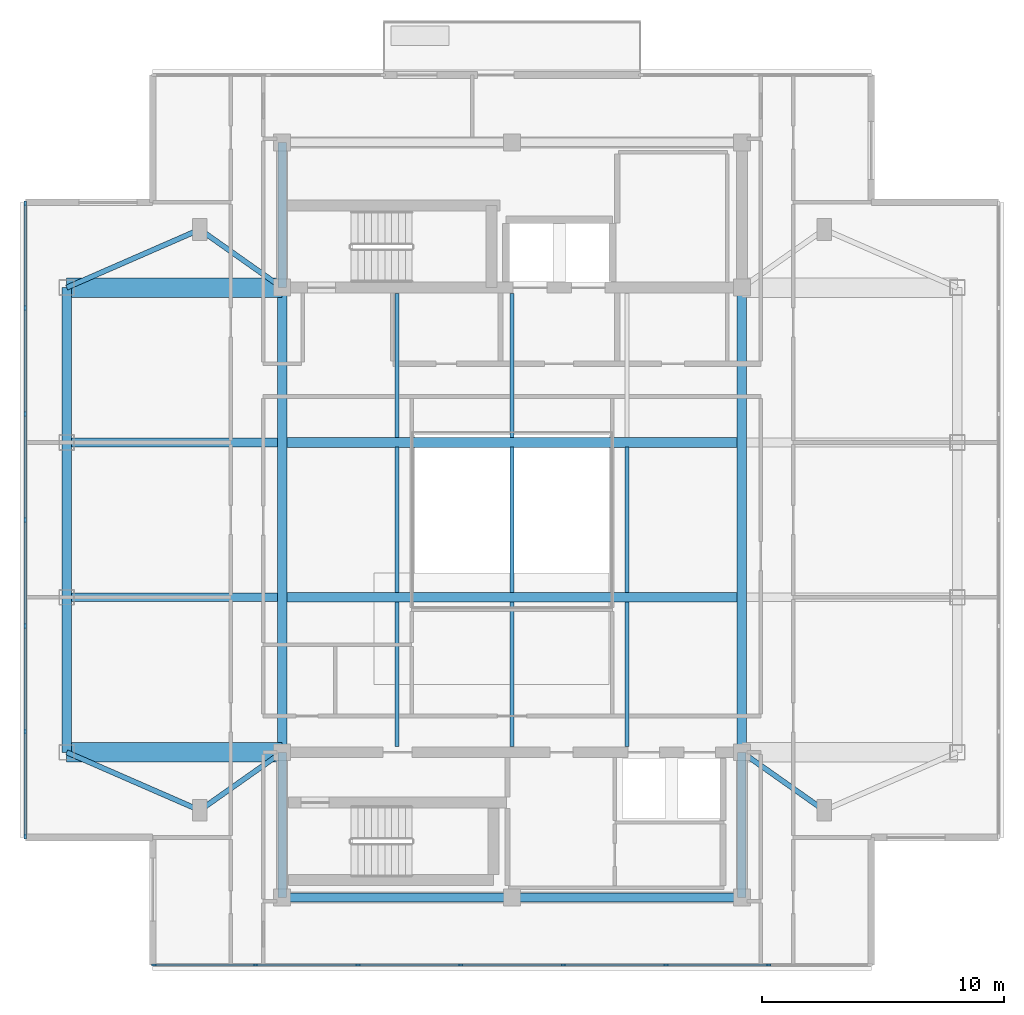
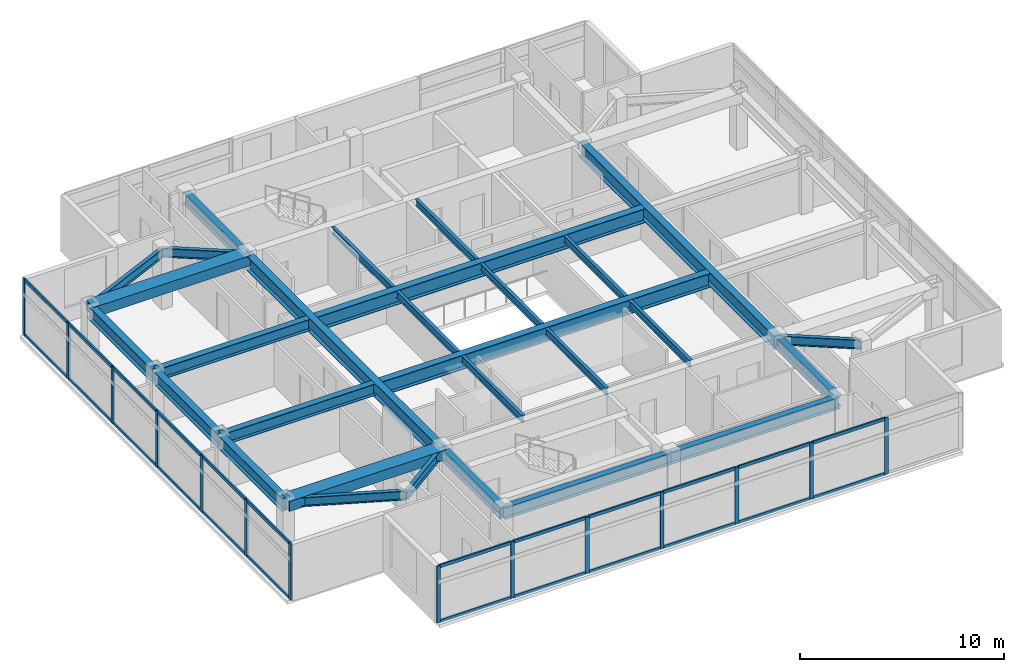
# One storey, part 2 of 12: 38 members, 29 beams, 2 elements without a shape of their own.
"""IFC4 building model written with IfcOpenShell, lengths in metres."""

from ifc_helpers import new_model, si_unit, direction, frame, origin, origin_2d, place, context, subcontext, project, spatial, rectangle, i_section, extrude, material, material_profile, profile_set, type_object, element, aggregate, save


model = new_model("IFC4")

# Units and contexts
model_context = context("Model", 3, precision=1e-05, world=origin(), true_north=direction((0.0, 1.0)))
body_context = subcontext(model_context, "Body", "Model", "MODEL_VIEW")
ifc_project = project(units=[si_unit("LENGTHUNIT", "METRE"), si_unit("AREAUNIT", "SQUARE_METRE"), si_unit("VOLUMEUNIT", "CUBIC_METRE"), si_unit("PLANEANGLEUNIT", "RADIAN"), si_unit("MASSUNIT", "GRAM", prefix="KILO")], contexts=[model_context])

# Site, building, storey
site_placement = place(None, origin())
site = spatial("IfcSite", under=ifc_project, at=site_placement, CompositionType="ELEMENT")
building_placement = place(site_placement, origin())
building = spatial("IfcBuilding", under=site, at=building_placement, Name="Mirazonda Arch Towers", CompositionType="ELEMENT")
storey_placement = place(building_placement, frame((0.0, 0.0, 252.699951171875)))
storey = spatial("IfcBuildingStorey", under=building, at=storey_placement, Name="L72", CompositionType="ELEMENT", Elevation=252.699951171875)

# Beams
ifc_material_1 = material(Name="Steel ASTM A992 Grade 50", Category="steel")
ifc_material_profile_1 = material_profile(ifc_material_1, i_section(OverallWidth=0.381103515625, OverallDepth=0.77294921875, WebThickness=0.0166015625, FlangeThickness=0.027099609375, at=origin_2d()), Name="W30X173")
ifc_profile_set_1 = profile_set([ifc_material_profile_1], Name="Steel ASTM A992 Grade 50")
beam_type_1 = type_object("IfcBeamType", Name="BM-EXT-W30X173", PredefinedType="USERDEFINED", material=ifc_profile_set_1)
beam_1_placement = place(storey_placement, frame((2.10009765625, 18.39990234375, 3.013427734375), z_axis=(0.0, 1.0, 0.0), x_axis=(-1.0, 0.0, 0.0)))
element("IfcBeam", 1, at=beam_1_placement, inside=storey, type_object=beam_type_1, Name="L72 Floor Beam BM-T1-L72-NS-W-18", ObjectType="GIRDER", PredefinedType="USERDEFINED", context=body_context, shape_type="SweptSolid", body=[
    extrude(i_section(OverallWidth=0.381103515625, OverallDepth=0.77294921875, WebThickness=0.0166015625, FlangeThickness=0.027099609375, at=origin_2d()), origin(), (0.0, 0.0, 1.0), 6.400146484375),
])
beam_2_placement = place(storey_placement, frame((2.10009765625, 24.800048828125, 3.013427734375), z_axis=(0.0, 1.0, 0.0), x_axis=(-1.0, 0.0, 0.0)))
element("IfcBeam", 2, at=beam_2_placement, inside=storey, type_object=beam_type_1, Name="L72 Floor Beam BM-T1-L72-NS-W-24", ObjectType="GIRDER", PredefinedType="USERDEFINED", context=body_context, shape_type="SweptSolid", body=[
    extrude(i_section(OverallWidth=0.381103515625, OverallDepth=0.77294921875, WebThickness=0.0166015625, FlangeThickness=0.027099609375, at=origin_2d()), origin(), (0.0, 0.0, 1.0), 6.39990234375),
])
beam_3_placement = place(storey_placement, frame((2.10009765625, 31.199951171875, 3.013427734375), z_axis=(0.0, 1.0, 0.0), x_axis=(-1.0, 0.0, 0.0)))
element("IfcBeam", 3, at=beam_3_placement, inside=storey, type_object=beam_type_1, Name="L72 Floor Beam BM-T1-L72-NS-W-31", ObjectType="GIRDER", PredefinedType="USERDEFINED", context=body_context, shape_type="SweptSolid", body=[
    extrude(i_section(OverallWidth=0.381103515625, OverallDepth=0.77294921875, WebThickness=0.0166015625, FlangeThickness=0.027099609375, at=origin_2d()), origin(), (0.0, 0.0, 1.0), 6.400146484375),
])
ifc_material_profile_2 = material_profile(ifc_material_1, i_section(OverallWidth=0.180908203125, OverallDepth=0.4169921875, WebThickness=0.010986328125, FlangeThickness=0.018310546875, at=origin_2d()), Name="W16X57")
ifc_profile_set_2 = profile_set([ifc_material_profile_2], Name="Steel ASTM A992 Grade 50")
beam_type_2 = type_object("IfcBeamType", Name="BM-INT-W16X57", PredefinedType="JOIST", material=ifc_profile_set_2)
for number, where, z_axis, x_axis, name in (
    (4, (15.75, 18.639892578125, 3.191650390625), (0.0, 1.0, 0.0), (-1.0, 0.0, 0.0), "L72 Floor Beam BM-T1-L72-J-157-18"),
    (5, (15.75, 31.39599609375, 3.191650390625), (0.0, 1.0, 0.0), (-1.0, 0.0, 0.0), "L72 Floor Beam BM-T1-L72-J-157-31"),
):
    element("IfcBeam", number, at=place(storey_placement, frame(where, z_axis=z_axis, x_axis=x_axis)), inside=storey, type_object=beam_type_2, Name=name, PredefinedType="JOIST", context=body_context, shape_type="SweptSolid", body=[
        extrude(i_section(OverallWidth=0.180908203125, OverallDepth=0.4169921875, WebThickness=0.010986328125, FlangeThickness=0.018310546875, at=origin_2d()), origin(), (0.0, 0.0, 1.0), 5.964111328125),
    ])
beam_4_placement = place(storey_placement, frame((15.75, 24.99609375, 3.191650390625), z_axis=(0.0, 1.0, 0.0), x_axis=(-1.0, 0.0, 0.0)))
element("IfcBeam", 6, at=beam_4_placement, inside=storey, type_object=beam_type_2, Name="L72 Floor Beam BM-T1-L72-J-157-24", PredefinedType="JOIST", context=body_context, shape_type="SweptSolid", body=[
    extrude(i_section(OverallWidth=0.180908203125, OverallDepth=0.4169921875, WebThickness=0.010986328125, FlangeThickness=0.018310546875, at=origin_2d()), origin(), (0.0, 0.0, 1.0), 6.0078125),
])
for number, where, z_axis, x_axis, name in (
    (7, (20.5, 18.639892578125, 3.191650390625), (0.0, 1.0, 0.0), (-1.0, 0.0, 0.0), "L72 Floor Beam BM-T1-L72-J-205-18"),
    (8, (20.5, 31.39599609375, 3.191650390625), (0.0, 1.0, 0.0), (-1.0, 0.0, 0.0), "L72 Floor Beam BM-T1-L72-J-205-31"),
):
    element("IfcBeam", number, at=place(storey_placement, frame(where, z_axis=z_axis, x_axis=x_axis)), inside=storey, type_object=beam_type_2, Name=name, PredefinedType="JOIST", context=body_context, shape_type="SweptSolid", body=[
        extrude(i_section(OverallWidth=0.180908203125, OverallDepth=0.4169921875, WebThickness=0.010986328125, FlangeThickness=0.018310546875, at=origin_2d()), origin(), (0.0, 0.0, 1.0), 5.964111328125),
    ])
beam_5_placement = place(storey_placement, frame((20.5, 24.99609375, 3.191650390625), z_axis=(0.0, 1.0, 0.0), x_axis=(-1.0, 0.0, 0.0)))
element("IfcBeam", 9, at=beam_5_placement, inside=storey, type_object=beam_type_2, Name="L72 Floor Beam BM-T1-L72-J-205-24", PredefinedType="JOIST", context=body_context, shape_type="SweptSolid", body=[
    extrude(i_section(OverallWidth=0.180908203125, OverallDepth=0.4169921875, WebThickness=0.010986328125, FlangeThickness=0.018310546875, at=origin_2d()), origin(), (0.0, 0.0, 1.0), 6.0078125),
])
beam_6_placement = place(storey_placement, frame((25.25, 18.639892578125, 3.191650390625), z_axis=(0.0, 1.0, 0.0), x_axis=(-1.0, 0.0, 0.0)))
element("IfcBeam", 10, at=beam_6_placement, inside=storey, type_object=beam_type_2, Name="L72 Floor Beam BM-T1-L72-J-252-18", PredefinedType="JOIST", context=body_context, shape_type="SweptSolid", body=[
    extrude(i_section(OverallWidth=0.180908203125, OverallDepth=0.4169921875, WebThickness=0.010986328125, FlangeThickness=0.018310546875, at=origin_2d()), origin(), (0.0, 0.0, 1.0), 5.964111328125),
])
beam_7_placement = place(storey_placement, frame((25.25, 24.99609375, 3.191650390625), z_axis=(0.0, 1.0, 0.0), x_axis=(-1.0, 0.0, 0.0)))
element("IfcBeam", 11, at=beam_7_placement, inside=storey, type_object=beam_type_2, Name="L72 Floor Beam BM-T1-L72-J-252-24", PredefinedType="JOIST", context=body_context, shape_type="SweptSolid", body=[
    extrude(i_section(OverallWidth=0.180908203125, OverallDepth=0.4169921875, WebThickness=0.010986328125, FlangeThickness=0.018310546875, at=origin_2d()), origin(), (0.0, 0.0, 1.0), 6.0078125),
])
ifc_material_profile_3 = material_profile(ifc_material_1, i_section(OverallWidth=0.214111328125, OverallDepth=0.549072265625, WebThickness=0.0146484375, FlangeThickness=0.023681640625, at=origin_2d()), Name="W21X93")
ifc_profile_set_3 = profile_set([ifc_material_profile_3], Name="Steel ASTM A992 Grade 50")
beam_type_3 = type_object("IfcBeamType", Name="BM-INT-W21X93", PredefinedType="BEAM", material=ifc_profile_set_3)
beam_8_placement = place(storey_placement, frame((7.60009765625, 16.0, 3.12548828125), z_axis=(0.816971114901, 0.576678591087, 0.0), x_axis=(-0.576678591087, 0.816971114901, 0.0)))
element("IfcBeam", 12, at=beam_8_placement, inside=storey, type_object=beam_type_3, Name="L72 Floor Beam BM-T1-L72-PL-SW1", PredefinedType="BEAM", context=body_context, shape_type="SweptSolid", body=[
    extrude(i_section(OverallWidth=0.214111328125, OverallDepth=0.549072265625, WebThickness=0.0146484375, FlangeThickness=0.023681640625, at=origin_2d()), origin(), (0.0, 0.0, 1.0), 4.16162109375),
])
beam_9_placement = place(storey_placement, frame((7.60009765625, 16.0, 3.12548828125), z_axis=(-0.916545343703, 0.399930785183, 0.0), x_axis=(-0.399930785183, -0.916545343703, 0.0)))
element("IfcBeam", 13, at=beam_9_placement, inside=storey, type_object=beam_type_3, Name="L72 Floor Beam BM-T1-L72-PL-SW2", PredefinedType="BEAM", context=body_context, shape_type="SweptSolid", body=[
    extrude(i_section(OverallWidth=0.214111328125, OverallDepth=0.549072265625, WebThickness=0.0146484375, FlangeThickness=0.023681640625, at=origin_2d()), origin(), (0.0, 0.0, 1.0), 6.000732421875),
])
for number, where, z_axis, x_axis, name in (
    (14, (33.39990234375, 16.0, 3.12548828125), (-0.816971114901, 0.576678591087, 0.0), (-0.576678591087, -0.816971114901, 0.0), "L72 Floor Beam BM-T1-L72-PL-SE1"),
    (15, (7.60009765625, 40.0, 3.12548828125), (0.816971114901, -0.576678591087, 0.0), (0.576678591087, 0.816971114901, 0.0), "L72 Floor Beam BM-T1-L72-PL-NW1"),
):
    element("IfcBeam", number, at=place(storey_placement, frame(where, z_axis=z_axis, x_axis=x_axis)), inside=storey, type_object=beam_type_3, Name=name, PredefinedType="BEAM", context=body_context, shape_type="SweptSolid", body=[
        extrude(i_section(OverallWidth=0.214111328125, OverallDepth=0.549072265625, WebThickness=0.0146484375, FlangeThickness=0.023681640625, at=origin_2d()), origin(), (0.0, 0.0, 1.0), 4.16162109375),
    ])
beam_10_placement = place(storey_placement, frame((7.60009765625, 40.0, 3.12548828125), z_axis=(-0.916545343703, -0.399930785183, 0.0), x_axis=(0.399930785183, -0.916545343703, 0.0)))
element("IfcBeam", 16, at=beam_10_placement, inside=storey, type_object=beam_type_3, Name="L72 Floor Beam BM-T1-L72-PL-NW2", PredefinedType="BEAM", context=body_context, shape_type="SweptSolid", body=[
    extrude(i_section(OverallWidth=0.214111328125, OverallDepth=0.549072265625, WebThickness=0.0146484375, FlangeThickness=0.023681640625, at=origin_2d()), origin(), (0.0, 0.0, 1.0), 6.000732421875),
])
ifc_material_profile_4 = material_profile(ifc_material_1, i_section(OverallWidth=0.35498046875, OverallDepth=0.696044921875, WebThickness=0.015380859375, FlangeThickness=0.02490234375, at=origin_2d()), Name="W27X146")
ifc_profile_set_4 = profile_set([ifc_material_profile_4], Name="Steel ASTM A992 Grade 50")
beam_type_4 = type_object("IfcBeamType", Name="BM-INT-W27X146", PredefinedType="BEAM", material=ifc_profile_set_4)
for number, where, z_axis, x_axis, name in (
    (17, (2.10009765625, 24.800048828125, 3.052001953125), (1.0, 0.0, 0.0), (0.0, 1.0, 0.0), "L72 Floor Beam BM-T1-L72-GW2"),
    (18, (2.10009765625, 31.199951171875, 3.052001953125), (1.0, 0.0, 0.0), (0.0, 1.0, 0.0), "L72 Floor Beam BM-T1-L72-GW3"),
):
    element("IfcBeam", number, at=place(storey_placement, frame(where, z_axis=z_axis, x_axis=x_axis)), inside=storey, type_object=beam_type_4, Name=name, PredefinedType="BEAM", context=body_context, shape_type="SweptSolid", body=[
        extrude(i_section(OverallWidth=0.35498046875, OverallDepth=0.696044921875, WebThickness=0.015380859375, FlangeThickness=0.02490234375, at=origin_2d()), origin(), (0.0, 0.0, 1.0), 8.699951171875),
    ])
for number, where, z_axis, x_axis, name in (
    (19, (11.0, 12.39990234375, 3.052001953125), (1.0, 0.0, 0.0), (0.0, 1.0, 0.0), "L72 Floor Beam BM-T1-L72-CS1"),
    (20, (20.5, 12.39990234375, 3.052001953125), (1.0, 0.0, 0.0), (0.0, 1.0, 0.0), "L72 Floor Beam BM-T1-L72-CS2"),
):
    element("IfcBeam", number, at=place(storey_placement, frame(where, z_axis=z_axis, x_axis=x_axis)), inside=storey, type_object=beam_type_4, Name=name, PredefinedType="BEAM", context=body_context, shape_type="SweptSolid", body=[
        extrude(i_section(OverallWidth=0.35498046875, OverallDepth=0.696044921875, WebThickness=0.015380859375, FlangeThickness=0.02490234375, at=origin_2d()), origin(), (0.0, 0.0, 1.0), 9.5),
    ])
for number, where, z_axis, x_axis, name in (
    (21, (11.0, 12.39990234375, 3.052001953125), (0.0, 1.0, 0.0), (-1.0, 0.0, 0.0), "L72 Floor Beam BM-T1-L72-CSW"),
    (22, (30.0, 12.39990234375, 3.052001953125), (0.0, 1.0, 0.0), (-1.0, 0.0, 0.0), "L72 Floor Beam BM-T1-L72-CSE"),
    (23, (11.0, 37.60009765625, 3.052001953125), (0.0, 1.0, 0.0), (-1.0, 0.0, 0.0), "L72 Floor Beam BM-T1-L72-CNW"),
):
    element("IfcBeam", number, at=place(storey_placement, frame(where, z_axis=z_axis, x_axis=x_axis)), inside=storey, type_object=beam_type_4, Name=name, PredefinedType="BEAM", context=body_context, shape_type="SweptSolid", body=[
        extrude(i_section(OverallWidth=0.35498046875, OverallDepth=0.696044921875, WebThickness=0.015380859375, FlangeThickness=0.02490234375, at=origin_2d()), origin(), (0.0, 0.0, 1.0), 6.0),
    ])
ifc_material_profile_5 = material_profile(ifc_material_1, i_section(OverallWidth=0.39990234375, OverallDepth=0.85595703125, WebThickness=0.018310546875, FlangeThickness=0.029296875, at=origin_2d()), Name="W33X201")
ifc_profile_set_5 = profile_set([ifc_material_profile_5], Name="Steel ASTM A992 Grade 50")
beam_type_5 = type_object("IfcBeamType", Name="BM-INT-W33X201", PredefinedType="USERDEFINED", material=ifc_profile_set_5)
for number, where, z_axis, x_axis, name in (
    (24, (11.199951171875, 24.800048828125, 2.97216796875), (1.0, 0.0, 0.0), (0.0, 1.0, 0.0), "L72 Floor Beam BM-T1-L72-GC2"),
    (25, (11.199951171875, 31.199951171875, 2.97216796875), (1.0, 0.0, 0.0), (0.0, 1.0, 0.0), "L72 Floor Beam BM-T1-L72-GC3"),
):
    element("IfcBeam", number, at=place(storey_placement, frame(where, z_axis=z_axis, x_axis=x_axis)), inside=storey, type_object=beam_type_5, Name=name, ObjectType="GIRDER", PredefinedType="USERDEFINED", context=body_context, shape_type="SweptSolid", body=[
        extrude(i_section(OverallWidth=0.39990234375, OverallDepth=0.85595703125, WebThickness=0.018310546875, FlangeThickness=0.029296875, at=origin_2d()), origin(), (0.0, 0.0, 1.0), 18.60009765625),
    ])
for number, where, z_axis, x_axis, name in (
    (26, (11.0, 18.39990234375, 2.97216796875), (0.0, 1.0, 0.0), (-1.0, 0.0, 0.0), "L72 Floor Beam BM-T1-L72-NS-CW-FULL"),
    (27, (30.0, 18.39990234375, 2.97216796875), (0.0, 1.0, 0.0), (-1.0, 0.0, 0.0), "L72 Floor Beam BM-T1-L72-NS-CE-FULL"),
):
    element("IfcBeam", number, at=place(storey_placement, frame(where, z_axis=z_axis, x_axis=x_axis)), inside=storey, type_object=beam_type_5, Name=name, ObjectType="GIRDER", PredefinedType="USERDEFINED", context=body_context, shape_type="SweptSolid", body=[
        extrude(i_section(OverallWidth=0.39990234375, OverallDepth=0.85595703125, WebThickness=0.018310546875, FlangeThickness=0.029296875, at=origin_2d()), origin(), (0.0, 0.0, 1.0), 19.2001953125),
    ])
ifc_material_2 = material(Name="Concrete C60/75", Category="concrete")
ifc_material_profile_6 = material_profile(ifc_material_2, rectangle(XDim=0.800048828125, YDim=0.60009765625, at=origin_2d()), Name="RCCB800x600")
ifc_profile_set_6 = profile_set([ifc_material_profile_6], Name="Concrete C60/75")
beam_type_6 = type_object("IfcBeamType", Name="CB-INT-RCCB800x600", PredefinedType="SPANDREL", material=ifc_profile_set_6)
for number, where, z_axis, x_axis, name in (
    (28, (2.10009765625, 37.60009765625, 3.10009765625), (1.0, 0.0, 0.0), (0.0, 1.0, 0.0), "L72 Floor Beam CBC-T1-L72-NW"),
    (29, (2.10009765625, 18.39990234375, 3.10009765625), (1.0, 0.0, 0.0), (0.0, 1.0, 0.0), "L72 Floor Beam CBC-T1-L72-SW"),
):
    element("IfcBeam", number, at=place(storey_placement, frame(where, z_axis=z_axis, x_axis=x_axis)), inside=storey, type_object=beam_type_6, Name=name, PredefinedType="SPANDREL", context=body_context, shape_type="SweptSolid", body=[
        extrude(rectangle(XDim=0.800048828125, YDim=0.60009765625, at=origin_2d()), origin(), (0.0, 0.0, 1.0), 8.89990234375),
    ])

# Curtain wall, members
ifc_material_3 = material(Name="Anodised Aluminium and Low-E Glass", Category="aluminium")
curtain_wall_type = type_object("IfcCurtainWallType", Name="CW-OBS-LANTERN", PredefinedType="NOTDEFINED", material=ifc_material_3)
curtain_wall_1_placement = place(storey_placement, origin())
curtain_wall_1 = element("IfcCurtainWall", 30, at=curtain_wall_1_placement, inside=storey, type_object=curtain_wall_type, Name="L72 T1 S Facade CW-L72-T1-S", PredefinedType="NOTDEFINED")
ifc_material_4 = material(Name="Anodised Aluminium Alloy", Category="aluminium")
ifc_material_profile_7 = material_profile(ifc_material_4, rectangle(XDim=0.090087890625, YDim=0.2099609375, at=origin_2d()), Name="ALU-MULL-90x210")
ifc_profile_set_7 = profile_set([ifc_material_profile_7], Name="Anodised Aluminium Alloy")
member_type_1 = type_object("IfcMemberType", Name="MULL-CW-OBS-LANTERN", PredefinedType="MULLION", material=ifc_profile_set_7)
member_1_placement = place(storey_placement, frame((31.103515625, 9.612060546875, 0.0), z_axis=(0.0, 0.0, 1.0), x_axis=(0.0, -1.0, 0.0)))
member_1 = element("IfcMember", 31, at=member_1_placement, type_object=member_type_1, Name="CW-110 mullion 2", PredefinedType="MULLION", context=body_context, shape_type="SweptSolid", body=[
    extrude(rectangle(XDim=0.090087890625, YDim=0.2099609375, at=origin_2d()), origin(), (0.0, 0.0, 1.0), 3.380126953125),
])
member_2_placement = place(storey_placement, frame((26.862060546875, 9.612060546875, 0.0), z_axis=(0.0, 0.0, 1.0), x_axis=(0.0, -1.0, 0.0)))
member_2 = element("IfcMember", 32, at=member_2_placement, type_object=member_type_1, Name="CW-110 mullion 3", PredefinedType="MULLION", context=body_context, shape_type="SweptSolid", body=[
    extrude(rectangle(XDim=0.090087890625, YDim=0.2099609375, at=origin_2d()), origin(), (0.0, 0.0, 1.0), 3.380126953125),
])
member_3_placement = place(storey_placement, frame((22.62060546875, 9.612060546875, 0.0), z_axis=(0.0, 0.0, 1.0), x_axis=(0.0, -1.0, 0.0)))
member_3 = element("IfcMember", 33, at=member_3_placement, type_object=member_type_1, Name="CW-110 mullion 4", PredefinedType="MULLION", context=body_context, shape_type="SweptSolid", body=[
    extrude(rectangle(XDim=0.090087890625, YDim=0.2099609375, at=origin_2d()), origin(), (0.0, 0.0, 1.0), 3.380126953125),
])
member_4_placement = place(storey_placement, frame((18.37939453125, 9.612060546875, 0.0), z_axis=(0.0, 0.0, 1.0), x_axis=(0.0, -1.0, 0.0)))
member_4 = element("IfcMember", 34, at=member_4_placement, type_object=member_type_1, Name="CW-110 mullion 5", PredefinedType="MULLION", context=body_context, shape_type="SweptSolid", body=[
    extrude(rectangle(XDim=0.090087890625, YDim=0.2099609375, at=origin_2d()), origin(), (0.0, 0.0, 1.0), 3.380126953125),
])
member_5_placement = place(storey_placement, frame((14.137939453125, 9.612060546875, 0.0), z_axis=(0.0, 0.0, 1.0), x_axis=(0.0, -1.0, 0.0)))
member_5 = element("IfcMember", 35, at=member_5_placement, type_object=member_type_1, Name="CW-110 mullion 6", PredefinedType="MULLION", context=body_context, shape_type="SweptSolid", body=[
    extrude(rectangle(XDim=0.090087890625, YDim=0.2099609375, at=origin_2d()), origin(), (0.0, 0.0, 1.0), 3.380126953125),
])
member_6_placement = place(storey_placement, frame((9.896484375, 9.612060546875, 0.0), z_axis=(0.0, 0.0, 1.0), x_axis=(0.0, -1.0, 0.0)))
member_6 = element("IfcMember", 36, at=member_6_placement, type_object=member_type_1, Name="CW-110 mullion 7", PredefinedType="MULLION", context=body_context, shape_type="SweptSolid", body=[
    extrude(rectangle(XDim=0.090087890625, YDim=0.2099609375, at=origin_2d()), origin(), (0.0, 0.0, 1.0), 3.380126953125),
])
member_7_placement = place(storey_placement, frame((5.699951171875, 9.612060546875, 0.0), z_axis=(0.0, 0.0, 1.0), x_axis=(0.0, -1.0, 0.0)))
member_7 = element("IfcMember", 37, at=member_7_placement, type_object=member_type_1, Name="CW-110 mullion 8", PredefinedType="MULLION", context=body_context, shape_type="SweptSolid", body=[
    extrude(rectangle(XDim=0.090087890625, YDim=0.2099609375, at=origin_2d()), origin(), (0.0, 0.0, 1.0), 3.380126953125),
])

curtain_wall_2_placement = place(storey_placement, origin())
curtain_wall_2 = element("IfcCurtainWall", 38, at=curtain_wall_2_placement, inside=storey, type_object=curtain_wall_type, Name="L72 T1 W Facade CW-L72-T1-W", PredefinedType="NOTDEFINED")
member_8_placement = place(storey_placement, frame((0.389892578125, 41.077880859375, 0.0), z_axis=(0.0, 0.0, 1.0), x_axis=(1.0, 0.0, 0.0)))
member_8 = element("IfcMember", 39, at=member_8_placement, type_object=member_type_1, Name="CW-110 mullion 1", PredefinedType="MULLION", context=body_context, shape_type="SweptSolid", body=[
    extrude(rectangle(XDim=0.090087890625, YDim=0.2099609375, at=origin_2d()), origin(), (0.0, 0.0, 1.0), 3.380126953125),
])
member_9_placement = place(storey_placement, frame((0.389892578125, 36.748779296875, 0.0), z_axis=(0.0, 0.0, 1.0), x_axis=(1.0, 0.0, 0.0)))
member_9 = element("IfcMember", 40, at=member_9_placement, type_object=member_type_1, Name="CW-110 mullion 2", PredefinedType="MULLION", context=body_context, shape_type="SweptSolid", body=[
    extrude(rectangle(XDim=0.090087890625, YDim=0.2099609375, at=origin_2d()), origin(), (0.0, 0.0, 1.0), 3.380126953125),
])
member_10_placement = place(storey_placement, frame((0.389892578125, 32.374267578125, 0.0), z_axis=(0.0, 0.0, 1.0), x_axis=(1.0, 0.0, 0.0)))
member_10 = element("IfcMember", 41, at=member_10_placement, type_object=member_type_1, Name="CW-110 mullion 3", PredefinedType="MULLION", context=body_context, shape_type="SweptSolid", body=[
    extrude(rectangle(XDim=0.090087890625, YDim=0.2099609375, at=origin_2d()), origin(), (0.0, 0.0, 1.0), 3.380126953125),
])
member_11_placement = place(storey_placement, frame((0.389892578125, 28.0, 0.0), z_axis=(0.0, 0.0, 1.0), x_axis=(1.0, 0.0, 0.0)))
member_11 = element("IfcMember", 42, at=member_11_placement, type_object=member_type_1, Name="CW-110 mullion 4", PredefinedType="MULLION", context=body_context, shape_type="SweptSolid", body=[
    extrude(rectangle(XDim=0.090087890625, YDim=0.2099609375, at=origin_2d()), origin(), (0.0, 0.0, 1.0), 3.380126953125),
])
member_12_placement = place(storey_placement, frame((0.389892578125, 23.625732421875, 0.0), z_axis=(0.0, 0.0, 1.0), x_axis=(1.0, 0.0, 0.0)))
member_12 = element("IfcMember", 43, at=member_12_placement, type_object=member_type_1, Name="CW-110 mullion 5", PredefinedType="MULLION", context=body_context, shape_type="SweptSolid", body=[
    extrude(rectangle(XDim=0.090087890625, YDim=0.2099609375, at=origin_2d()), origin(), (0.0, 0.0, 1.0), 3.380126953125),
])
member_13_placement = place(storey_placement, frame((0.389892578125, 19.251220703125, 0.0), z_axis=(0.0, 0.0, 1.0), x_axis=(1.0, 0.0, 0.0)))
member_13 = element("IfcMember", 44, at=member_13_placement, type_object=member_type_1, Name="CW-110 mullion 6", PredefinedType="MULLION", context=body_context, shape_type="SweptSolid", body=[
    extrude(rectangle(XDim=0.090087890625, YDim=0.2099609375, at=origin_2d()), origin(), (0.0, 0.0, 1.0), 3.380126953125),
])
member_14_placement = place(storey_placement, frame((0.389892578125, 14.922119140625, 0.0), z_axis=(0.0, 0.0, 1.0), x_axis=(1.0, 0.0, 0.0)))
member_14 = element("IfcMember", 45, at=member_14_placement, type_object=member_type_1, Name="CW-110 mullion 7", PredefinedType="MULLION", context=body_context, shape_type="SweptSolid", body=[
    extrude(rectangle(XDim=0.090087890625, YDim=0.2099609375, at=origin_2d()), origin(), (0.0, 0.0, 1.0), 3.380126953125),
])

# Member
ifc_material_profile_8 = material_profile(ifc_material_4, rectangle(XDim=0.090087890625, YDim=0.18994140625, at=origin_2d()), Name="ALU-TRAN-90x190")
ifc_profile_set_8 = profile_set([ifc_material_profile_8], Name="Anodised Aluminium Alloy")
member_type_2 = type_object("IfcMemberType", Name="TRAN-CW-OBS-LANTERN", PredefinedType="USERDEFINED", material=ifc_profile_set_8)
member_15_placement = place(storey_placement, frame((31.05859375, 9.612060546875, 0.045166015625), z_axis=(-1.0, 0.0, 0.0), x_axis=(0.0, -1.0, 0.0)))
member_15 = element("IfcMember", 46, at=member_15_placement, type_object=member_type_2, Name="CW-110 transom 2.1", ObjectType="TRANSOM", PredefinedType="USERDEFINED", context=body_context, shape_type="SweptSolid", body=[
    extrude(rectangle(XDim=0.090087890625, YDim=0.18994140625, at=origin_2d()), origin(), (0.0, 0.0, 1.0), 4.1513671875),
])

member_16_placement = place(storey_placement, frame((31.05859375, 9.612060546875, 3.3349609375), z_axis=(-1.0, 0.0, 0.0), x_axis=(0.0, -1.0, 0.0)))
member_16 = element("IfcMember", 47, at=member_16_placement, type_object=member_type_2, Name="CW-110 transom 2.2", ObjectType="TRANSOM", PredefinedType="USERDEFINED", context=body_context, shape_type="SweptSolid", body=[
    extrude(rectangle(XDim=0.090087890625, YDim=0.18994140625, at=origin_2d()), origin(), (0.0, 0.0, 1.0), 4.1513671875),
])

member_17_placement = place(storey_placement, frame((26.817138671875, 9.612060546875, 0.045166015625), z_axis=(-1.0, 0.0, 0.0), x_axis=(0.0, -1.0, 0.0)))
member_17 = element("IfcMember", 48, at=member_17_placement, type_object=member_type_2, Name="CW-110 transom 3.1", ObjectType="TRANSOM", PredefinedType="USERDEFINED", context=body_context, shape_type="SweptSolid", body=[
    extrude(rectangle(XDim=0.090087890625, YDim=0.18994140625, at=origin_2d()), origin(), (0.0, 0.0, 1.0), 4.1513671875),
])

member_18_placement = place(storey_placement, frame((26.817138671875, 9.612060546875, 3.3349609375), z_axis=(-1.0, 0.0, 0.0), x_axis=(0.0, -1.0, 0.0)))
member_18 = element("IfcMember", 49, at=member_18_placement, type_object=member_type_2, Name="CW-110 transom 3.2", ObjectType="TRANSOM", PredefinedType="USERDEFINED", context=body_context, shape_type="SweptSolid", body=[
    extrude(rectangle(XDim=0.090087890625, YDim=0.18994140625, at=origin_2d()), origin(), (0.0, 0.0, 1.0), 4.1513671875),
])

member_19_placement = place(storey_placement, frame((22.57568359375, 9.612060546875, 0.045166015625), z_axis=(-1.0, 0.0, 0.0), x_axis=(0.0, -1.0, 0.0)))
member_19 = element("IfcMember", 50, at=member_19_placement, type_object=member_type_2, Name="CW-110 transom 4.1", ObjectType="TRANSOM", PredefinedType="USERDEFINED", context=body_context, shape_type="SweptSolid", body=[
    extrude(rectangle(XDim=0.090087890625, YDim=0.18994140625, at=origin_2d()), origin(), (0.0, 0.0, 1.0), 4.1513671875),
])

member_20_placement = place(storey_placement, frame((22.57568359375, 9.612060546875, 3.3349609375), z_axis=(-1.0, 0.0, 0.0), x_axis=(0.0, -1.0, 0.0)))
member_20 = element("IfcMember", 51, at=member_20_placement, type_object=member_type_2, Name="CW-110 transom 4.2", ObjectType="TRANSOM", PredefinedType="USERDEFINED", context=body_context, shape_type="SweptSolid", body=[
    extrude(rectangle(XDim=0.090087890625, YDim=0.18994140625, at=origin_2d()), origin(), (0.0, 0.0, 1.0), 4.1513671875),
])

member_21_placement = place(storey_placement, frame((18.334228515625, 9.612060546875, 0.045166015625), z_axis=(-1.0, 0.0, 0.0), x_axis=(0.0, -1.0, 0.0)))
member_21 = element("IfcMember", 52, at=member_21_placement, type_object=member_type_2, Name="CW-110 transom 5.1", ObjectType="TRANSOM", PredefinedType="USERDEFINED", context=body_context, shape_type="SweptSolid", body=[
    extrude(rectangle(XDim=0.090087890625, YDim=0.18994140625, at=origin_2d()), origin(), (0.0, 0.0, 1.0), 4.1513671875),
])

member_22_placement = place(storey_placement, frame((18.334228515625, 9.612060546875, 3.3349609375), z_axis=(-1.0, 0.0, 0.0), x_axis=(0.0, -1.0, 0.0)))
member_22 = element("IfcMember", 53, at=member_22_placement, type_object=member_type_2, Name="CW-110 transom 5.2", ObjectType="TRANSOM", PredefinedType="USERDEFINED", context=body_context, shape_type="SweptSolid", body=[
    extrude(rectangle(XDim=0.090087890625, YDim=0.18994140625, at=origin_2d()), origin(), (0.0, 0.0, 1.0), 4.1513671875),
])

member_23_placement = place(storey_placement, frame((14.0927734375, 9.612060546875, 0.045166015625), z_axis=(-1.0, 0.0, 0.0), x_axis=(0.0, -1.0, 0.0)))
member_23 = element("IfcMember", 54, at=member_23_placement, type_object=member_type_2, Name="CW-110 transom 6.1", ObjectType="TRANSOM", PredefinedType="USERDEFINED", context=body_context, shape_type="SweptSolid", body=[
    extrude(rectangle(XDim=0.090087890625, YDim=0.18994140625, at=origin_2d()), origin(), (0.0, 0.0, 1.0), 4.1513671875),
])

member_24_placement = place(storey_placement, frame((14.0927734375, 9.612060546875, 3.3349609375), z_axis=(-1.0, 0.0, 0.0), x_axis=(0.0, -1.0, 0.0)))
member_24 = element("IfcMember", 55, at=member_24_placement, type_object=member_type_2, Name="CW-110 transom 6.2", ObjectType="TRANSOM", PredefinedType="USERDEFINED", context=body_context, shape_type="SweptSolid", body=[
    extrude(rectangle(XDim=0.090087890625, YDim=0.18994140625, at=origin_2d()), origin(), (0.0, 0.0, 1.0), 4.1513671875),
])

member_25_placement = place(storey_placement, frame((9.851318359375, 9.612060546875, 0.045166015625), z_axis=(-1.0, 0.0, 0.0), x_axis=(0.0, -1.0, 0.0)))
member_25 = element("IfcMember", 56, at=member_25_placement, type_object=member_type_2, Name="CW-110 transom 7.1", ObjectType="TRANSOM", PredefinedType="USERDEFINED", context=body_context, shape_type="SweptSolid", body=[
    extrude(rectangle(XDim=0.090087890625, YDim=0.18994140625, at=origin_2d()), origin(), (0.0, 0.0, 1.0), 4.106201171875),
])

member_26_placement = place(storey_placement, frame((9.851318359375, 9.612060546875, 3.3349609375), z_axis=(-1.0, 0.0, 0.0), x_axis=(0.0, -1.0, 0.0)))
member_26 = element("IfcMember", 57, at=member_26_placement, type_object=member_type_2, Name="CW-110 transom 7.2", ObjectType="TRANSOM", PredefinedType="USERDEFINED", context=body_context, shape_type="SweptSolid", body=[
    extrude(rectangle(XDim=0.090087890625, YDim=0.18994140625, at=origin_2d()), origin(), (0.0, 0.0, 1.0), 4.106201171875),
])

aggregate(curtain_wall_1, [member_1, member_2, member_3, member_4, member_5, member_6, member_7, member_15, member_16, member_17, member_18, member_19, member_20, member_21, member_22, member_23, member_24, member_25, member_26])

member_27_placement = place(storey_placement, frame((0.389892578125, 41.032958984375, 0.045166015625), z_axis=(0.0, -1.0, 0.0), x_axis=(1.0, 0.0, 0.0)))
member_27 = element("IfcMember", 58, at=member_27_placement, type_object=member_type_2, Name="CW-110 transom 1.1", ObjectType="TRANSOM", PredefinedType="USERDEFINED", context=body_context, shape_type="SweptSolid", body=[
    extrude(rectangle(XDim=0.090087890625, YDim=0.18994140625, at=origin_2d()), origin(), (0.0, 0.0, 1.0), 4.2392578125),
])

member_28_placement = place(storey_placement, frame((0.389892578125, 41.032958984375, 3.3349609375), z_axis=(0.0, -1.0, 0.0), x_axis=(1.0, 0.0, 0.0)))
member_28 = element("IfcMember", 59, at=member_28_placement, type_object=member_type_2, Name="CW-110 transom 1.2", ObjectType="TRANSOM", PredefinedType="USERDEFINED", context=body_context, shape_type="SweptSolid", body=[
    extrude(rectangle(XDim=0.090087890625, YDim=0.18994140625, at=origin_2d()), origin(), (0.0, 0.0, 1.0), 4.2392578125),
])

member_29_placement = place(storey_placement, frame((0.389892578125, 36.70361328125, 0.045166015625), z_axis=(0.0, -1.0, 0.0), x_axis=(1.0, 0.0, 0.0)))
member_29 = element("IfcMember", 60, at=member_29_placement, type_object=member_type_2, Name="CW-110 transom 2.1", ObjectType="TRANSOM", PredefinedType="USERDEFINED", context=body_context, shape_type="SweptSolid", body=[
    extrude(rectangle(XDim=0.090087890625, YDim=0.18994140625, at=origin_2d()), origin(), (0.0, 0.0, 1.0), 4.2841796875),
])

member_30_placement = place(storey_placement, frame((0.389892578125, 36.70361328125, 3.3349609375), z_axis=(0.0, -1.0, 0.0), x_axis=(1.0, 0.0, 0.0)))
member_30 = element("IfcMember", 61, at=member_30_placement, type_object=member_type_2, Name="CW-110 transom 2.2", ObjectType="TRANSOM", PredefinedType="USERDEFINED", context=body_context, shape_type="SweptSolid", body=[
    extrude(rectangle(XDim=0.090087890625, YDim=0.18994140625, at=origin_2d()), origin(), (0.0, 0.0, 1.0), 4.2841796875),
])

member_31_placement = place(storey_placement, frame((0.389892578125, 32.329345703125, 0.045166015625), z_axis=(0.0, -1.0, 0.0), x_axis=(1.0, 0.0, 0.0)))
member_31 = element("IfcMember", 62, at=member_31_placement, type_object=member_type_2, Name="CW-110 transom 3.1", ObjectType="TRANSOM", PredefinedType="USERDEFINED", context=body_context, shape_type="SweptSolid", body=[
    extrude(rectangle(XDim=0.090087890625, YDim=0.18994140625, at=origin_2d()), origin(), (0.0, 0.0, 1.0), 4.284423828125),
])

member_32_placement = place(storey_placement, frame((0.389892578125, 32.329345703125, 3.3349609375), z_axis=(0.0, -1.0, 0.0), x_axis=(1.0, 0.0, 0.0)))
member_32 = element("IfcMember", 63, at=member_32_placement, type_object=member_type_2, Name="CW-110 transom 3.2", ObjectType="TRANSOM", PredefinedType="USERDEFINED", context=body_context, shape_type="SweptSolid", body=[
    extrude(rectangle(XDim=0.090087890625, YDim=0.18994140625, at=origin_2d()), origin(), (0.0, 0.0, 1.0), 4.284423828125),
])

member_33_placement = place(storey_placement, frame((0.389892578125, 27.955078125, 0.045166015625), z_axis=(0.0, -1.0, 0.0), x_axis=(1.0, 0.0, 0.0)))
member_33 = element("IfcMember", 64, at=member_33_placement, type_object=member_type_2, Name="CW-110 transom 4.1", ObjectType="TRANSOM", PredefinedType="USERDEFINED", context=body_context, shape_type="SweptSolid", body=[
    extrude(rectangle(XDim=0.090087890625, YDim=0.18994140625, at=origin_2d()), origin(), (0.0, 0.0, 1.0), 4.284423828125),
])

member_34_placement = place(storey_placement, frame((0.389892578125, 27.955078125, 3.3349609375), z_axis=(0.0, -1.0, 0.0), x_axis=(1.0, 0.0, 0.0)))
member_34 = element("IfcMember", 65, at=member_34_placement, type_object=member_type_2, Name="CW-110 transom 4.2", ObjectType="TRANSOM", PredefinedType="USERDEFINED", context=body_context, shape_type="SweptSolid", body=[
    extrude(rectangle(XDim=0.090087890625, YDim=0.18994140625, at=origin_2d()), origin(), (0.0, 0.0, 1.0), 4.284423828125),
])

member_35_placement = place(storey_placement, frame((0.389892578125, 23.58056640625, 0.045166015625), z_axis=(0.0, -1.0, 0.0), x_axis=(1.0, 0.0, 0.0)))
member_35 = element("IfcMember", 66, at=member_35_placement, type_object=member_type_2, Name="CW-110 transom 5.1", ObjectType="TRANSOM", PredefinedType="USERDEFINED", context=body_context, shape_type="SweptSolid", body=[
    extrude(rectangle(XDim=0.090087890625, YDim=0.18994140625, at=origin_2d()), origin(), (0.0, 0.0, 1.0), 4.2841796875),
])

member_36_placement = place(storey_placement, frame((0.389892578125, 23.58056640625, 3.3349609375), z_axis=(0.0, -1.0, 0.0), x_axis=(1.0, 0.0, 0.0)))
member_36 = element("IfcMember", 67, at=member_36_placement, type_object=member_type_2, Name="CW-110 transom 5.2", ObjectType="TRANSOM", PredefinedType="USERDEFINED", context=body_context, shape_type="SweptSolid", body=[
    extrude(rectangle(XDim=0.090087890625, YDim=0.18994140625, at=origin_2d()), origin(), (0.0, 0.0, 1.0), 4.2841796875),
])

member_37_placement = place(storey_placement, frame((0.389892578125, 19.206298828125, 0.045166015625), z_axis=(0.0, -1.0, 0.0), x_axis=(1.0, 0.0, 0.0)))
member_37 = element("IfcMember", 68, at=member_37_placement, type_object=member_type_2, Name="CW-110 transom 6.1", ObjectType="TRANSOM", PredefinedType="USERDEFINED", context=body_context, shape_type="SweptSolid", body=[
    extrude(rectangle(XDim=0.090087890625, YDim=0.18994140625, at=origin_2d()), origin(), (0.0, 0.0, 1.0), 4.2392578125),
])

member_38_placement = place(storey_placement, frame((0.389892578125, 19.206298828125, 3.3349609375), z_axis=(0.0, -1.0, 0.0), x_axis=(1.0, 0.0, 0.0)))
member_38 = element("IfcMember", 69, at=member_38_placement, type_object=member_type_2, Name="CW-110 transom 6.2", ObjectType="TRANSOM", PredefinedType="USERDEFINED", context=body_context, shape_type="SweptSolid", body=[
    extrude(rectangle(XDim=0.090087890625, YDim=0.18994140625, at=origin_2d()), origin(), (0.0, 0.0, 1.0), 4.2392578125),
])

aggregate(curtain_wall_2, [member_8, member_9, member_10, member_11, member_12, member_13, member_14, member_27, member_28, member_29, member_30, member_31, member_32, member_33, member_34, member_35, member_36, member_37, member_38])

save(model, "model.ifc")
